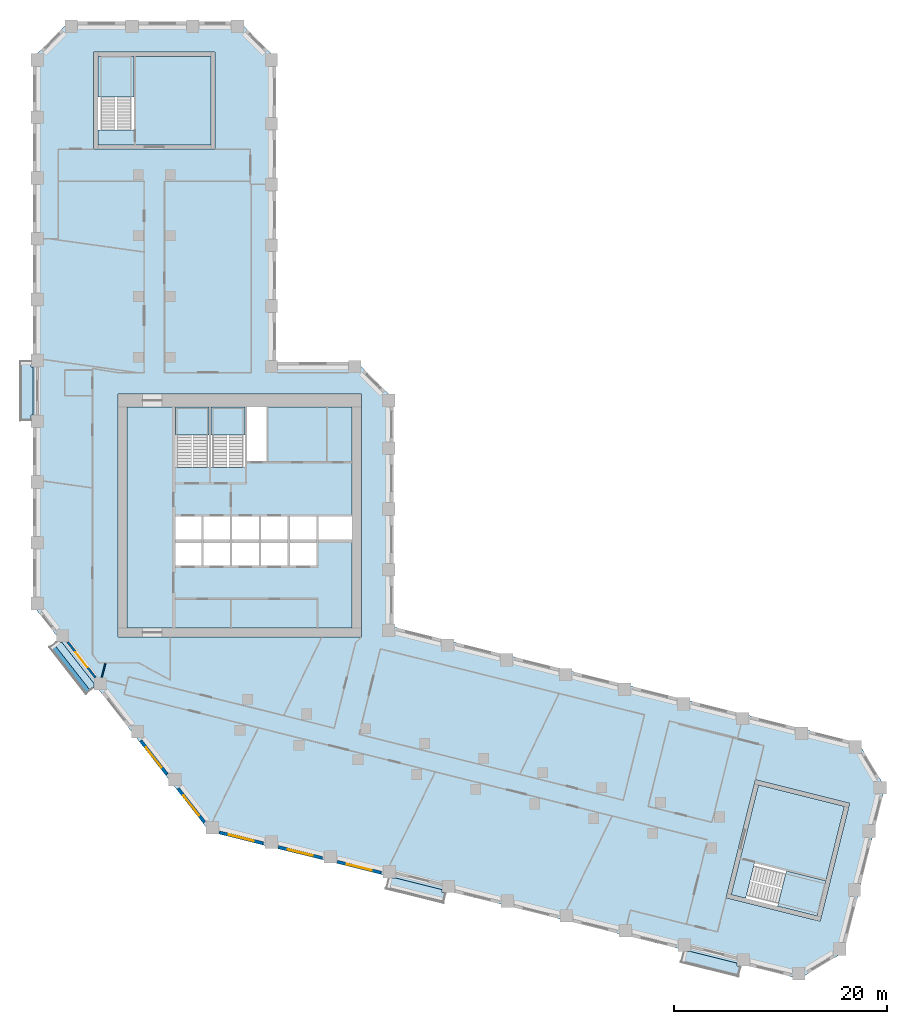
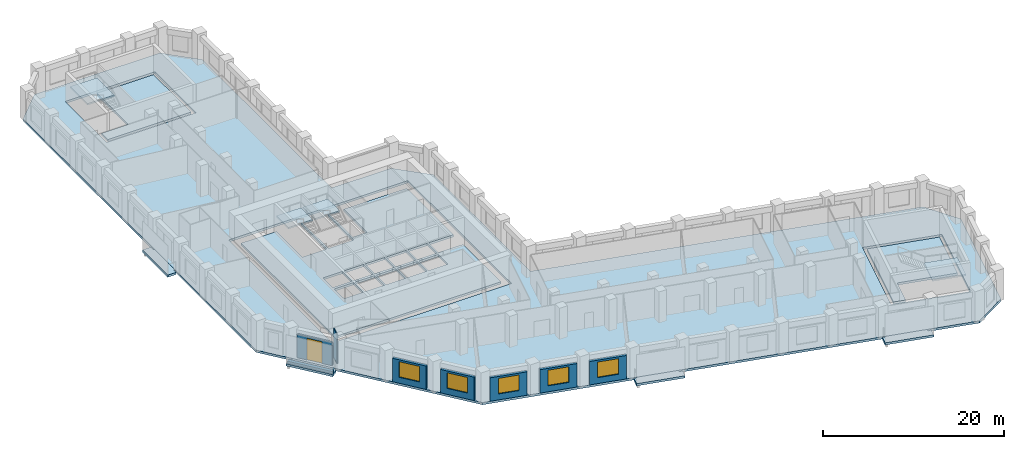
# One storey, part 2 of 10: 12 slabs, 8 walls, 5 windows, 1 door, 6 openings, 4 elements without a shape of their own.
"""IFC4 building model written with IfcOpenShell, lengths in metres."""

from ifc_helpers import new_model, si_unit, direction, frame, frame_2d, origin, place, context, subcontext, project, spatial, polyline, rectangle, outline, extrude, material, layer, layer_set, type_object, element, fill, aggregate, save


model = new_model("IFC4")

# Units and contexts
model_context = context("Model", 3, precision=1e-05, world=origin(), true_north=direction((0.0, 1.0)))
body_context = subcontext(model_context, "Body", "Model", "MODEL_VIEW")
ifc_project = project(units=[si_unit("LENGTHUNIT", "METRE"), si_unit("AREAUNIT", "SQUARE_METRE"), si_unit("VOLUMEUNIT", "CUBIC_METRE"), si_unit("PLANEANGLEUNIT", "RADIAN"), si_unit("MASSUNIT", "GRAM", prefix="KILO")], contexts=[model_context])

# Site, building, storey
site_placement = place(None, origin())
site = spatial("IfcSite", under=ifc_project, at=site_placement, CompositionType="ELEMENT")
building_placement = place(site_placement, origin())
building = spatial("IfcBuilding", under=site, at=building_placement, Name="Meshkara Civic Tower", CompositionType="ELEMENT")
storey_placement = place(building_placement, frame((0.0, 0.0, 190.800048828125)))
storey = spatial("IfcBuildingStorey", under=building, at=storey_placement, Name="L43", CompositionType="ELEMENT", Elevation=190.800048828125)

# Slabs
ifc_material_1 = material(Name="Concrete C40", Category="concrete")
ifc_layer_1 = layer(ifc_material_1, 0.300048828125)
ifc_layer_set_1 = layer_set([ifc_layer_1], Name="BALCONY SLAB")
slab_type_1 = type_object("IfcSlabType", Name="BALCONY SLAB", PredefinedType="FLOOR", material=ifc_layer_set_1)
slab_1_placement = place(storey_placement, frame((0.0, 0.0, -0.300048828125)))
element("IfcSlab", 1, at=slab_1_placement, inside=storey, type_object=slab_type_1, Name="Balcony slab", PredefinedType="FLOOR", context=body_context, shape_type="SweptSolid", body=[
    extrude(outline(polyline([(-1.199951171875, 34.4150390625), (-1.199951171875, 39.9951171875), (-0.14990234375, 39.9951171875), (-0.14990234375, 39.455078125), (0.0, 39.455078125), (0.0, 34.955078125), (-0.14990234375, 34.955078125), (-0.14990234375, 34.4150390625), (-1.199951171875, 34.4150390625)])), origin(), (0.0, 0.0, 1.0), 0.300048828125),
])
slab_2_placement = place(storey_placement, frame((0.0, 0.0, -0.300048828125)))
element("IfcSlab", 2, at=slab_2_placement, inside=storey, type_object=slab_type_1, Name="Balcony slab", PredefinedType="FLOOR", context=body_context, shape_type="SweptSolid", body=[
    extrude(outline(polyline([(4.986083984375, 8.76904296875), (1.551025390625, 13.166015625), (2.214111328125, 13.68408203125), (2.214111328125, 13.62890625), (2.7119140625, 13.62890625), (5.722900390625, 9.77490234375), (5.722900390625, 9.343994140625), (4.986083984375, 8.76904296875)])), origin(), (0.0, 0.0, 1.0), 0.300048828125),
])
slab_3_placement = place(storey_placement, frame((0.0, 0.0, -0.300048828125)))
element("IfcSlab", 3, at=slab_3_placement, inside=storey, type_object=slab_type_1, Name="Balcony slab", PredefinedType="FLOOR", context=body_context, shape_type="SweptSolid", body=[
    extrude(outline(polyline([(38.51708984375, -10.840087890625), (33.10205078125, -9.489990234375), (33.35498046875, -8.47509765625), (33.991943359375, -8.47509765625), (38.3740234375, -9.568115234375), (38.3740234375, -9.85302734375), (38.762939453125, -9.85302734375), (38.51708984375, -10.840087890625)])), origin(), (0.0, 0.0, 1.0), 0.300048828125),
])
slab_4_placement = place(storey_placement, frame((0.0, 0.0, -0.300048828125)))
element("IfcSlab", 4, at=slab_4_placement, inside=storey, type_object=slab_type_1, Name="Balcony slab", PredefinedType="FLOOR", context=body_context, shape_type="SweptSolid", body=[
    extrude(outline(polyline([(66.169921875, -17.73388671875), (60.756103515625, -16.385009765625), (61.009033203125, -15.368896484375), (61.64306640625, -15.368896484375), (66.027099609375, -16.4619140625), (66.027099609375, -16.748046875), (66.416015625, -16.748046875), (66.169921875, -17.73388671875)])), origin(), (0.0, 0.0, 1.0), 0.300048828125),
])
ifc_material_2 = material(Name="Concrete C40/50", Category="concrete")
ifc_layer_2 = layer(ifc_material_2, 0.300048828125)
ifc_layer_set_2 = layer_set([ifc_layer_2], Name="Core floor slab 300 C40/50")
slab_type_2 = type_object("IfcSlabType", Name="Core floor slab 300 C40/50", PredefinedType="FLOOR", material=ifc_layer_set_2)
slab_5_placement = place(storey_placement, frame((0.0, 0.0, -0.300048828125)))
element("IfcSlab", 5, at=slab_5_placement, inside=storey, type_object=slab_type_2, Name="Core floor K", PredefinedType="FLOOR", context=body_context, shape_type="SweptSolid", body=[
    extrude(outline(polyline([(8.85009765625, 35.699951171875), (13.3701171875, 35.699951171875), (13.3701171875, 30.00146484375), (16.5, 30.00146484375), (16.5, 35.699951171875), (16.699951171875, 35.699951171875), (16.699951171875, 30.00146484375), (19.89990234375, 30.00146484375), (19.89990234375, 35.699951171875), (20.10009765625, 35.699951171875), (20.10009765625, 30.574951171875), (21.925048828125, 30.574951171875), (21.925048828125, 35.699951171875), (29.949951171875, 35.699951171875), (29.949951171875, 25.39990234375), (26.800048828125, 25.39990234375), (26.800048828125, 23.27001953125), (29.949951171875, 23.27001953125), (29.949951171875, 14.949951171875), (8.85009765625, 14.949951171875), (8.85009765625, 35.699951171875)]), holes=[polyline([(15.800048828125, 22.929931640625), (13.3701171875, 22.929931640625), (13.3701171875, 20.800048828125), (15.800048828125, 20.800048828125), (15.800048828125, 22.929931640625)]), polyline([(16.0, 22.929931640625), (16.0, 20.800048828125), (18.5, 20.800048828125), (18.5, 22.929931640625), (16.0, 22.929931640625)]), polyline([(18.699951171875, 22.929931640625), (18.699951171875, 20.800048828125), (21.199951171875, 20.800048828125), (21.199951171875, 22.929931640625), (18.699951171875, 22.929931640625)]), polyline([(15.800048828125, 23.27001953125), (15.800048828125, 25.39990234375), (13.3701171875, 25.39990234375), (13.3701171875, 23.27001953125), (15.800048828125, 23.27001953125)]), polyline([(16.0, 25.39990234375), (16.0, 23.27001953125), (18.5, 23.27001953125), (18.5, 25.39990234375), (16.0, 25.39990234375)]), polyline([(23.89990234375, 20.800048828125), (23.89990234375, 22.929931640625), (21.39990234375, 22.929931640625), (21.39990234375, 20.800048828125), (23.89990234375, 20.800048828125)]), polyline([(24.10009765625, 20.800048828125), (26.60009765625, 20.800048828125), (26.60009765625, 22.929931640625), (24.10009765625, 22.929931640625), (24.10009765625, 20.800048828125)]), polyline([(18.699951171875, 25.39990234375), (18.699951171875, 23.27001953125), (21.199951171875, 23.27001953125), (21.199951171875, 25.39990234375), (18.699951171875, 25.39990234375)]), polyline([(21.39990234375, 23.27001953125), (23.89990234375, 23.27001953125), (23.89990234375, 25.39990234375), (21.39990234375, 25.39990234375), (21.39990234375, 23.27001953125)]), polyline([(24.10009765625, 23.27001953125), (26.60009765625, 23.27001953125), (26.60009765625, 25.39990234375), (24.10009765625, 25.39990234375), (24.10009765625, 23.27001953125)])]), origin(), (0.0, 0.0, 1.0), 0.300048828125),
])
slab_6_placement = place(storey_placement, frame((0.0, 0.0, -0.300048828125)))
element("IfcSlab", 6, at=slab_6_placement, inside=storey, type_object=slab_type_2, Name="Core floor EA", PredefinedType="FLOOR", context=body_context, shape_type="SweptSolid", body=[
    extrude(outline(polyline([(16.699951171875, 60.27001953125), (16.699951171875, 68.570068359375), (9.5, 68.570068359375), (9.5, 61.67138671875), (6.10009765625, 61.67138671875), (6.10009765625, 60.27001953125), (16.699951171875, 60.27001953125)])), origin(), (0.0, 0.0, 1.0), 0.300048828125),
])
slab_7_placement = place(storey_placement, frame((0.0, 0.0, -0.300048828125)))
element("IfcSlab", 7, at=slab_7_placement, inside=storey, type_object=slab_type_2, Name="Core floor EB", PredefinedType="FLOOR", context=body_context, shape_type="SweptSolid", body=[
    extrude(outline(polyline([(68.050537109375, 0.244384765625), (76.10400390625, -1.763671875), (74.362060546875, -8.749755859375), (67.66845703125, -7.080810546875), (66.845947265625, -10.3798828125), (65.486083984375, -10.040771484375), (68.050537109375, 0.244384765625)])), origin(), (0.0, 0.0, 1.0), 0.300048828125),
])

# Stair, slab
ifc_material_3 = material(Name="Precast concrete C40/50", Category="concrete")
stair_type = type_object("IfcStairType", Name="Exit stair half-turn 24 risers precast", PredefinedType="HALF_TURN_STAIR", material=ifc_material_3)
stair_1_placement = place(storey_placement, origin())
stair_1 = element("IfcStair", 8, at=stair_1_placement, inside=storey, type_object=stair_type, Name="L43 exit stair 1", PredefinedType="HALF_TURN_STAIR")
ifc_material_4 = material(Name="Precast concrete C40/50", Category="concrete")
ifc_layer_3 = layer(ifc_material_4, 0.199951171875)
ifc_layer_set_3 = layer_set([ifc_layer_3], Name="Exit stair landing 200")
slab_type_3 = type_object("IfcSlabType", Name="Exit stair landing 200", PredefinedType="LANDING", material=ifc_layer_set_3)
slab_8_placement = place(storey_placement, frame((0.0, 0.0, 1.89990234375)))
slab_8 = element("IfcSlab", 9, at=slab_8_placement, type_object=slab_type_3, Name="ST1 landing 1", PredefinedType="LANDING", context=body_context, shape_type="SweptSolid", body=[
    extrude(outline(polyline([(16.5, 33.07861328125), (16.5, 35.699951171875), (13.3701171875, 35.699951171875), (13.3701171875, 33.07861328125), (16.5, 33.07861328125)])), origin(), (0.0, 0.0, 1.0), 0.199951171875),
])
aggregate(stair_1, [slab_8])

stair_2_placement = place(storey_placement, origin())
stair_2 = element("IfcStair", 10, at=stair_2_placement, inside=storey, type_object=stair_type, Name="L43 exit stair 2", PredefinedType="HALF_TURN_STAIR")
slab_9_placement = place(storey_placement, frame((0.0, 0.0, 1.89990234375)))
slab_9 = element("IfcSlab", 11, at=slab_9_placement, type_object=slab_type_3, Name="ST2 landing 1", PredefinedType="LANDING", context=body_context, shape_type="SweptSolid", body=[
    extrude(outline(polyline([(19.89990234375, 33.07861328125), (19.89990234375, 35.699951171875), (16.699951171875, 35.699951171875), (16.699951171875, 33.07861328125), (19.89990234375, 33.07861328125)])), origin(), (0.0, 0.0, 1.0), 0.199951171875),
])
aggregate(stair_2, [slab_9])

stair_3_placement = place(storey_placement, origin())
stair_3 = element("IfcStair", 12, at=stair_3_placement, inside=storey, type_object=stair_type, Name="L43 exit stair A from L35", PredefinedType="HALF_TURN_STAIR")
slab_10_placement = place(storey_placement, frame((0.0, 0.0, 1.89990234375)))
slab_10 = element("IfcSlab", 13, at=slab_10_placement, type_object=slab_type_3, Name="ESA3 landing 1", PredefinedType="LANDING", context=body_context, shape_type="SweptSolid", body=[
    extrude(outline(polyline([(9.5, 64.74853515625), (9.5, 68.570068359375), (6.10009765625, 68.570068359375), (6.10009765625, 64.74853515625), (9.5, 64.74853515625)])), origin(), (0.0, 0.0, 1.0), 0.199951171875),
])
aggregate(stair_3, [slab_10])

stair_4_placement = place(storey_placement, origin())
stair_4 = element("IfcStair", 14, at=stair_4_placement, inside=storey, type_object=stair_type, Name="L43 exit stair B from L35", PredefinedType="HALF_TURN_STAIR")
slab_11_placement = place(storey_placement, frame((0.0, 0.0, 1.89990234375)))
slab_11 = element("IfcSlab", 15, at=slab_11_placement, type_object=slab_type_3, Name="ESB3 landing 1", PredefinedType="LANDING", context=body_context, shape_type="SweptSolid", body=[
    extrude(outline(polyline([(69.831298828125, -11.124755859375), (73.5400390625, -12.049072265625), (74.3623046875, -8.7490234375), (70.653564453125, -7.82470703125), (69.831298828125, -11.124755859375)])), origin(), (0.0, 0.0, 1.0), 0.199951171875),
])
aggregate(stair_4, [slab_11])

# Slab
ifc_material_5 = material(Name="Concrete C50", Category="concrete")
ifc_layer_4 = layer(ifc_material_5, 0.300048828125)
ifc_layer_set_4 = layer_set([ifc_layer_4], Name="Post-tensioned flat slab 300 C50")
slab_type_4 = type_object("IfcSlabType", Name="Post-tensioned flat slab 300 C50", PredefinedType="FLOOR", material=ifc_layer_set_4)
slab_12_placement = place(storey_placement, frame((0.0, 0.0, -0.300048828125)))
element("IfcSlab", 16, at=slab_12_placement, inside=storey, type_object=slab_type_4, Name="Post-tensioned flat slab L43", PredefinedType="FLOOR", context=body_context, shape_type="SweptSolid", body=[
    extrude(outline(polyline([(76.044921875, -15.43505859375), (71.89892578125, -17.926025390625), (16.592041015625, -4.136962890625), (0.0, 17.10009765625), (0.0, 68.39990234375), (3.419921875, 71.820068359375), (19.3798828125, 71.820068359375), (22.800048828125, 68.39990234375), (22.800048828125, 39.89990234375), (30.3798828125, 39.89990234375), (33.800048828125, 36.47998046875), (33.800048828125, 15.071044921875), (77.4150390625, 4.196044921875), (79.906005859375, 0.051025390625), (76.044921875, -15.43505859375)]), holes=[polyline([(73.8310546875, -12.533935546875), (76.589111328125, -1.471923828125), (67.759033203125, 0.72900390625), (65.0009765625, -10.33203125), (73.8310546875, -12.533935546875)]), polyline([(8.0, 14.10009765625), (30.800048828125, 14.10009765625), (30.800048828125, 36.89990234375), (8.0, 36.89990234375), (8.0, 14.10009765625)]), polyline([(5.699951171875, 68.969970703125), (5.699951171875, 59.8701171875), (17.10009765625, 59.8701171875), (17.10009765625, 68.969970703125), (5.699951171875, 68.969970703125)])]), origin(), (0.0, 0.0, 1.0), 0.300048828125),
])

# Wall, opening, window
ifc_material_6 = material(Name="Insulated infill panel with bronze anodised aluminium cladding", Category="aluminium")
ifc_layer_5 = layer(ifc_material_6, 0.300048828125)
ifc_layer_set_5 = layer_set([ifc_layer_5], Name="EXTERNAL INFILL WALL 300")
wall_type_1 = type_object("IfcWallType", Name="EXTERNAL INFILL WALL 300", PredefinedType="SOLIDWALL", material=ifc_layer_set_5)
wall_1_placement = place(storey_placement, frame((10.114990234375, 4.39697265625, 0.0), z_axis=(0.0, 0.0, 1.0), x_axis=(0.615644041972, -0.788024373725, 0.0)))
wall_1 = element("IfcWall", 17, at=wall_1_placement, inside=storey, type_object=wall_type_1, Name="External wall", PredefinedType="SOLIDWALL", context=body_context, shape_type="SweptSolid", body=[
    extrude(rectangle(XDim=4.01513671875, YDim=0.300048828125, at=frame_2d((2.007568359375, 0.0))), origin(), (0.0, 0.0, 1.0), 3.14990234375),
])
opening_1_placement = place(wall_1_placement, frame((0.806884765625, 0.0, 0.800048828125)))
opening_1 = element("IfcOpeningElement", 18, at=opening_1_placement, cuts=wall_1, Name="Opening W7", PredefinedType="OPENING", context=body_context, shape_type="SweptSolid", body=[
    extrude(rectangle(XDim=2.39990234375, YDim=2.10009765625, at=frame_2d((1.199951171875, 1.050048828125))), frame((0.0, 0.159912109375, 0.0), z_axis=(0.0, -1.0, 0.0), x_axis=(1.0, 0.0, 0.0)), (0.0, 0.0, 1.0), 0.320068359375),
])
ifc_material_7 = material(Name="Tinted double glazing", Category="glass")
window_type = type_object("IfcWindowType", Name="WINDOW 2400x2100", PartitioningType="DOUBLE_PANEL_VERTICAL", PredefinedType="WINDOW", material=ifc_material_7)
window_1_placement = place(opening_1_placement, origin())
window_1 = element("IfcWindow", 19, at=window_1_placement, inside=storey, type_object=window_type, Name="Window", OverallHeight=2.10009765625, OverallWidth=2.39990234375, PartitioningType="DOUBLE_PANEL_VERTICAL", PredefinedType="WINDOW", context=body_context, shape_type="SweptSolid", body=[
    extrude(rectangle(XDim=2.39990234375, YDim=2.10009765625, at=frame_2d((1.199951171875, 1.050048828125))), frame((0.0, 0.030029296875, 0.0), z_axis=(0.0, -1.0, 0.0), x_axis=(1.0, 0.0, 0.0)), (0.0, 0.0, 1.0), 0.06005859375),
])
fill(opening_1, window_1)

wall_2_placement = place(storey_placement, frame((13.6240234375, -0.093994140625, 0.0), z_axis=(0.0, 0.0, 1.0), x_axis=(0.615526062586, -0.7881165309, 0.0)))
wall_2 = element("IfcWall", 20, at=wall_2_placement, inside=storey, type_object=wall_type_1, Name="External wall", PredefinedType="SOLIDWALL", context=body_context, shape_type="SweptSolid", body=[
    extrude(rectangle(XDim=4.015869140625, YDim=0.300048828125, at=frame_2d((2.0078125, 0.0))), origin(), (0.0, 0.0, 1.0), 3.14990234375),
])
opening_2_placement = place(wall_2_placement, frame((0.80810546875, 0.0, 0.800048828125)))
opening_2 = element("IfcOpeningElement", 21, at=opening_2_placement, cuts=wall_2, Name="Opening W7", PredefinedType="OPENING", context=body_context, shape_type="SweptSolid", body=[
    extrude(rectangle(XDim=2.39990234375, YDim=2.10009765625, at=frame_2d((1.199951171875, 1.050048828125))), frame((0.0, 0.159912109375, 0.0), z_axis=(0.0, -1.0, 0.0), x_axis=(1.0, 0.0, 0.0)), (0.0, 0.0, 1.0), 0.320068359375),
])
window_2_placement = place(opening_2_placement, origin())
window_2 = element("IfcWindow", 22, at=window_2_placement, inside=storey, type_object=window_type, Name="Window", OverallHeight=2.10009765625, OverallWidth=2.39990234375, PartitioningType="DOUBLE_PANEL_VERTICAL", PredefinedType="WINDOW", context=body_context, shape_type="SweptSolid", body=[
    extrude(rectangle(XDim=2.39990234375, YDim=2.10009765625, at=frame_2d((1.199951171875, 1.050048828125))), frame((0.0, 0.030029296875, 0.0), z_axis=(0.0, -1.0, 0.0), x_axis=(1.0, 0.0, 0.0)), (0.0, 0.0, 1.0), 0.06005859375),
])
fill(opening_2, window_2)

wall_3_placement = place(storey_placement, frame((17.48388671875, -4.205078125, 0.0), z_axis=(0.0, 0.0, 1.0), x_axis=(0.970318118028, -0.241832069473, 0.0)))
wall_3 = element("IfcWall", 23, at=wall_3_placement, inside=storey, type_object=wall_type_1, Name="External wall", PredefinedType="SOLIDWALL", context=body_context, shape_type="SweptSolid", body=[
    extrude(rectangle(XDim=4.24609375, YDim=0.300048828125, at=frame_2d((2.123046875, 0.0))), origin(), (0.0, 0.0, 1.0), 3.14990234375),
])
opening_3_placement = place(wall_3_placement, frame((0.923095703125, 0.0, 0.800048828125)))
opening_3 = element("IfcOpeningElement", 24, at=opening_3_placement, cuts=wall_3, Name="Opening W7", PredefinedType="OPENING", context=body_context, shape_type="SweptSolid", body=[
    extrude(rectangle(XDim=2.39990234375, YDim=2.10009765625, at=frame_2d((1.199951171875, 1.050048828125))), frame((0.0, 0.159912109375, 0.0), z_axis=(0.0, -1.0, 0.0), x_axis=(1.0, 0.0, 0.0)), (0.0, 0.0, 1.0), 0.320068359375),
])
window_3_placement = place(opening_3_placement, origin())
window_3 = element("IfcWindow", 25, at=window_3_placement, inside=storey, type_object=window_type, Name="Window", OverallHeight=2.10009765625, OverallWidth=2.39990234375, PartitioningType="DOUBLE_PANEL_VERTICAL", PredefinedType="WINDOW", context=body_context, shape_type="SweptSolid", body=[
    extrude(rectangle(XDim=2.39990234375, YDim=2.10009765625, at=frame_2d((1.199951171875, 1.050048828125))), frame((0.0, 0.030029296875, 0.0), z_axis=(0.0, -1.0, 0.0), x_axis=(1.0, 0.0, 0.0)), (0.0, 0.0, 1.0), 0.06005859375),
])
fill(opening_3, window_3)

wall_4_placement = place(storey_placement, frame((23.014892578125, -5.583984375, 0.0), z_axis=(0.0, 0.0, 1.0), x_axis=(0.970291164166, -0.241940192487, 0.0)))
wall_4 = element("IfcWall", 26, at=wall_4_placement, inside=storey, type_object=wall_type_1, Name="External wall", PredefinedType="SOLIDWALL", context=body_context, shape_type="SweptSolid", body=[
    extrude(rectangle(XDim=4.245361328125, YDim=0.300048828125, at=frame_2d((2.12255859375, 0.0))), origin(), (0.0, 0.0, 1.0), 3.14990234375),
])
opening_4_placement = place(wall_4_placement, frame((0.922119140625, 0.0, 0.800048828125)))
opening_4 = element("IfcOpeningElement", 27, at=opening_4_placement, cuts=wall_4, Name="Opening W7", PredefinedType="OPENING", context=body_context, shape_type="SweptSolid", body=[
    extrude(rectangle(XDim=2.39990234375, YDim=2.10009765625, at=frame_2d((1.199951171875, 1.050048828125))), frame((0.0, 0.159912109375, 0.0), z_axis=(0.0, -1.0, 0.0), x_axis=(1.0, 0.0, 0.0)), (0.0, 0.0, 1.0), 0.320068359375),
])
window_4_placement = place(opening_4_placement, origin())
window_4 = element("IfcWindow", 28, at=window_4_placement, inside=storey, type_object=window_type, Name="Window", OverallHeight=2.10009765625, OverallWidth=2.39990234375, PartitioningType="DOUBLE_PANEL_VERTICAL", PredefinedType="WINDOW", context=body_context, shape_type="SweptSolid", body=[
    extrude(rectangle(XDim=2.39990234375, YDim=2.10009765625, at=frame_2d((1.199951171875, 1.050048828125))), frame((0.0, 0.030029296875, 0.0), z_axis=(0.0, -1.0, 0.0), x_axis=(1.0, 0.0, 0.0)), (0.0, 0.0, 1.0), 0.06005859375),
])
fill(opening_4, window_4)

wall_5_placement = place(storey_placement, frame((28.544921875, -6.962890625, 0.0), z_axis=(0.0, 0.0, 1.0), x_axis=(0.97030462482, -0.241886202691, 0.0)))
wall_5 = element("IfcWall", 29, at=wall_5_placement, inside=storey, type_object=wall_type_1, Name="External wall", PredefinedType="SOLIDWALL", context=body_context, shape_type="SweptSolid", body=[
    extrude(rectangle(XDim=4.24609375, YDim=0.300048828125, at=frame_2d((2.123046875, 0.0))), origin(), (0.0, 0.0, 1.0), 3.14990234375),
])
opening_5_placement = place(wall_5_placement, frame((0.923095703125, 0.0, 0.800048828125)))
opening_5 = element("IfcOpeningElement", 30, at=opening_5_placement, cuts=wall_5, Name="Opening W7", PredefinedType="OPENING", context=body_context, shape_type="SweptSolid", body=[
    extrude(rectangle(XDim=2.39990234375, YDim=2.10009765625, at=frame_2d((1.199951171875, 1.050048828125))), frame((0.0, 0.159912109375, 0.0), z_axis=(0.0, -1.0, 0.0), x_axis=(1.0, 0.0, 0.0)), (0.0, 0.0, 1.0), 0.320068359375),
])
window_5_placement = place(opening_5_placement, origin())
window_5 = element("IfcWindow", 31, at=window_5_placement, inside=storey, type_object=window_type, Name="Window", OverallHeight=2.10009765625, OverallWidth=2.39990234375, PartitioningType="DOUBLE_PANEL_VERTICAL", PredefinedType="WINDOW", context=body_context, shape_type="SweptSolid", body=[
    extrude(rectangle(XDim=2.39990234375, YDim=2.10009765625, at=frame_2d((1.199951171875, 1.050048828125))), frame((0.0, 0.030029296875, 0.0), z_axis=(0.0, -1.0, 0.0), x_axis=(1.0, 0.0, 0.0)), (0.0, 0.0, 1.0), 0.06005859375),
])
fill(opening_5, window_5)

# Wall, opening, door
ifc_material_8 = material(Name="Insulated infill panel with bronze anodised aluminium cladding", Category="aluminium")
ifc_layer_6 = layer(ifc_material_8, 0.199951171875)
ifc_layer_set_6 = layer_set([ifc_layer_6], Name="LOGGIA BACK WALL 200")
wall_type_2 = type_object("IfcWallType", Name="LOGGIA BACK WALL 200", PredefinedType="SOLIDWALL", material=ifc_layer_set_6)
wall_6_placement = place(storey_placement, frame((3.282958984375, 13.62890625, 0.0), z_axis=(0.0, 0.0, 1.0), x_axis=(0.615666723149, -0.78800665353, 0.0)))
wall_6 = element("IfcWall", 32, at=wall_6_placement, inside=storey, type_object=wall_type_2, Name="Loggia wall", PredefinedType="SOLIDWALL", context=body_context, shape_type="SweptSolid", body=[
    extrude(rectangle(XDim=4.177734375, YDim=0.199951171875, at=frame_2d((2.0888671875, 0.0))), origin(), (0.0, 0.0, 1.0), 3.14990234375),
])
opening_6_placement = place(wall_6_placement, frame((1.18798828125, 0.0, 0.0)))
opening_6 = element("IfcOpeningElement", 33, at=opening_6_placement, cuts=wall_6, Name="Opening L43-L002", PredefinedType="OPENING", context=body_context, shape_type="SweptSolid", body=[
    extrude(rectangle(XDim=1.800048828125, YDim=2.89990234375, at=frame_2d((0.89990234375, 1.449951171875))), frame((0.0, 0.10986328125, 0.0), z_axis=(0.0, -1.0, 0.0), x_axis=(1.0, 0.0, 0.0)), (0.0, 0.0, 1.0), 0.219970703125),
])
ifc_material_9 = material(Name="Tinted double glazing", Category="glass")
door_type = type_object("IfcDoorType", Name="LOGGIA DOOR 1800x2900", OperationType="DOUBLE_DOOR_SINGLE_SWING", PredefinedType="DOOR", material=ifc_material_9)
door_placement = place(opening_6_placement, origin())
door = element("IfcDoor", 34, at=door_placement, inside=storey, type_object=door_type, Name="L43-L002", OperationType="DOUBLE_DOOR_SINGLE_SWING", OverallHeight=2.89990234375, OverallWidth=1.800048828125, PredefinedType="DOOR", context=body_context, shape_type="SweptSolid", body=[
    extrude(rectangle(XDim=1.800048828125, YDim=2.89990234375, at=frame_2d((0.89990234375, 1.449951171875))), frame((0.0, 0.02490234375, 0.0), z_axis=(0.0, -1.0, 0.0), x_axis=(1.0, 0.0, 0.0)), (0.0, 0.0, 1.0), 0.050048828125),
])
fill(opening_6, door)

# Walls
ifc_material_10 = material(Name="Concrete C40", Category="concrete")
ifc_layer_7 = layer(ifc_material_10, 0.39990234375)
ifc_layer_set_7 = layer_set([ifc_layer_7], Name="PLANTER TRAY")
wall_type_3 = type_object("IfcWallType", Name="PLANTER TRAY", PredefinedType="SOLIDWALL", material=ifc_layer_set_7)
wall_7_placement = place(storey_placement, frame((1.87109375, 13.27587890625, 0.0), z_axis=(0.0, 0.0, 1.0), x_axis=(0.615632551218, -0.788033350741, 0.0)))
element("IfcWall", 35, at=wall_7_placement, inside=storey, type_object=wall_type_3, Name="Planter", PredefinedType="SOLIDWALL", context=body_context, shape_type="SweptSolid", body=[
    extrude(rectangle(XDim=5.360107421875, YDim=0.39990234375, at=frame_2d((2.68017578125, 0.0))), origin(), (0.0, 0.0, 1.0), 0.300048828125),
])
ifc_material_11 = material(Name="Partition 100")
ifc_layer_8 = layer(ifc_material_11, 0.10009765625)
ifc_layer_set_8 = layer_set([ifc_layer_8], Name="Partition 100")
wall_type_4 = type_object("IfcWallType", Name="Partition 100", PredefinedType="PARTITIONING", material=ifc_layer_set_8)
wall_8_placement = place(storey_placement, frame((6.797119140625, 11.637939453125, 0.0), z_axis=(0.0, 0.0, 1.0), x_axis=(-0.242492789119, -0.97015320812, 0.0)))
element("IfcWall", 36, at=wall_8_placement, inside=storey, type_object=wall_type_4, Name="L43-W047", PredefinedType="PARTITIONING", context=body_context, shape_type="SweptSolid", body=[
    extrude(rectangle(XDim=1.341064453125, YDim=0.10009765625, at=frame_2d((0.67041015625, 0.0))), origin(), (0.0, 0.0, 1.0), 3.89990234375),
])

save(model, "model.ifc")
